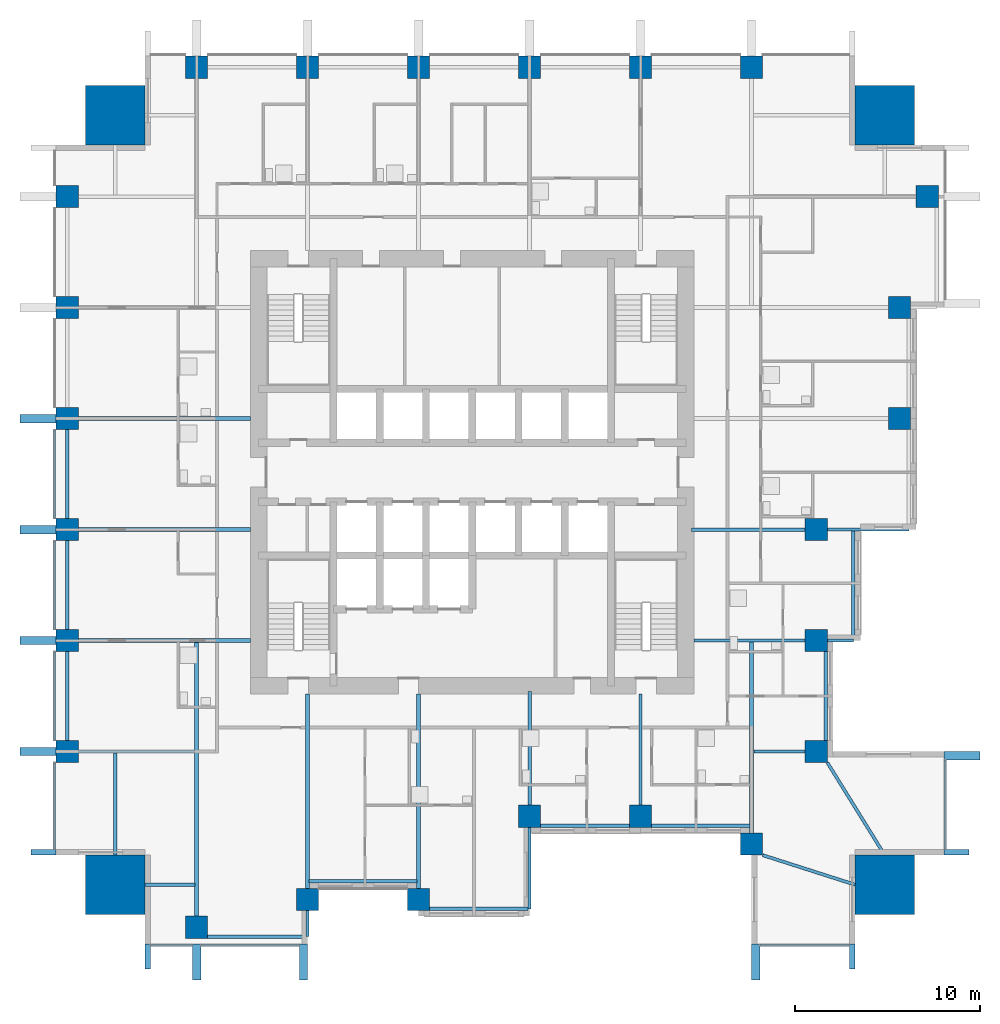
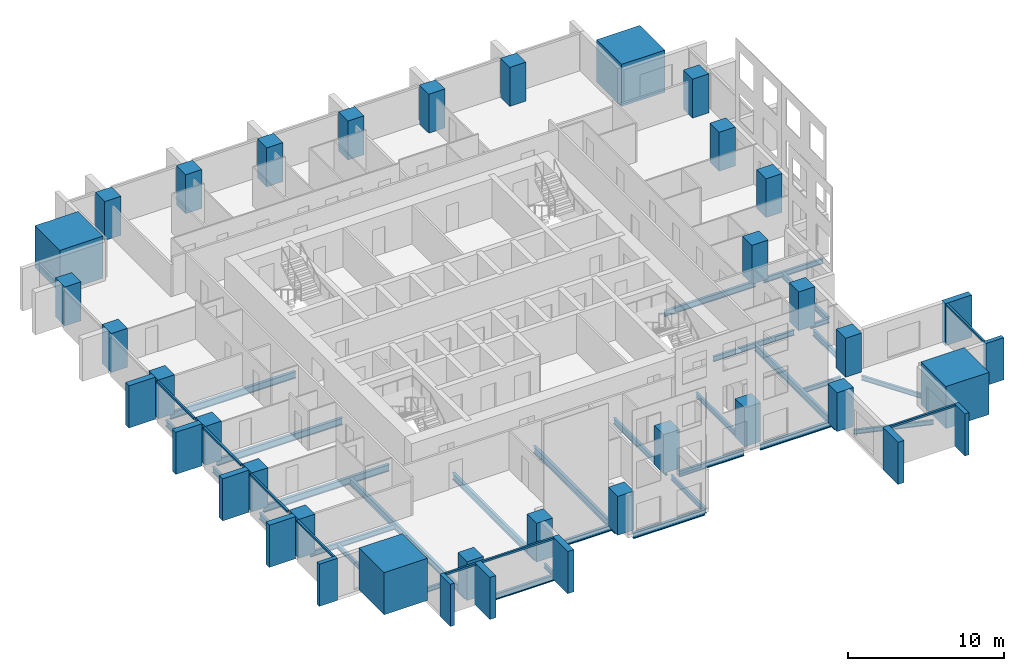
# One storey, part 1 of 11: 31 beams, 28 columns, 20 members, 4 elements without a shape of their own.
"""IFC4 building model written with IfcOpenShell, lengths in metres."""

from ifc_helpers import new_model, si_unit, direction, frame, origin, origin_2d, place, context, subcontext, project, spatial, rectangle, i_section, extrude, material, material_profile, profile_set, type_object, element, aggregate, save


model = new_model("IFC4")

# Units and contexts
model_context = context("Model", 3, precision=1e-05, world=origin(), true_north=direction((0.0, 1.0)))
body_context = subcontext(model_context, "Body", "Model", "MODEL_VIEW")
ifc_project = project(units=[si_unit("LENGTHUNIT", "METRE"), si_unit("AREAUNIT", "SQUARE_METRE"), si_unit("VOLUMEUNIT", "CUBIC_METRE"), si_unit("PLANEANGLEUNIT", "RADIAN"), si_unit("MASSUNIT", "GRAM", prefix="KILO")], contexts=[model_context])

# Site, building, storey
site_placement = place(None, origin())
site = spatial("IfcSite", under=ifc_project, at=site_placement, CompositionType="ELEMENT")
building_placement = place(site_placement, origin())
building = spatial("IfcBuilding", under=site, at=building_placement, Name="Amberfall Residences", CompositionType="ELEMENT")
storey_placement = place(building_placement, frame((0.0, 0.0, 43.300048828125)))
storey = spatial("IfcBuildingStorey", under=building, at=storey_placement, Name="L11", CompositionType="ELEMENT", Elevation=43.300048828125)

# Columns
ifc_material_1 = material(Name="Concrete C80", Category="concrete")
ifc_material_profile_1 = material_profile(ifc_material_1, rectangle(XDim=1.199951171875, YDim=1.199951171875, at=origin_2d()), Name="Column 1200 x 1200 C80")
ifc_profile_set_1 = profile_set([ifc_material_profile_1], Name="Concrete C80")
column_type_1 = type_object("IfcColumnType", Name="Column 1200 x 1200 C80", PredefinedType="COLUMN", material=ifc_profile_set_1)
for number, where, z_axis, x_axis, name in (
    (1, (59.60009765625, 20.89990234375, 0.0), (0.0, 0.0, 1.0), (1.0, 0.0, 0.0), "Column C1 L11 S1"),
    (2, (65.60009765625, 22.39990234375, 0.0), (0.0, 0.0, 1.0), (1.0, 0.0, 0.0), "Column C1 L11 S2"),
    (3, (71.60009765625, 22.39990234375, 0.0), (0.0, 0.0, 1.0), (1.0, 0.0, 0.0), "Column C1 L11 S3"),
    (4, (77.60009765625, 26.89990234375, 0.0), (0.0, 0.0, 1.0), (1.0, 0.0, 0.0), "Column C1 L11 S4"),
    (5, (83.60009765625, 26.89990234375, 0.0), (0.0, 0.0, 1.0), (1.0, 0.0, 0.0), "Column C1 L11 S5"),
    (6, (89.60009765625, 25.39990234375, 0.0), (0.0, 0.0, 1.0), (1.0, 0.0, 0.0), "Column C1 L11 S6"),
    (7, (93.10009765625, 30.39990234375, 0.0), (0.0, 0.0, 1.0), (1.0, 0.0, 0.0), "Column C1 L11 E1"),
    (8, (93.10009765625, 36.39990234375, 0.0), (0.0, 0.0, 1.0), (1.0, 0.0, 0.0), "Column C1 L11 E2"),
    (9, (93.10009765625, 42.39990234375, 0.0), (0.0, 0.0, 1.0), (1.0, 0.0, 0.0), "Column C1 L11 E3"),
    (10, (97.60009765625, 48.39990234375, 0.0), (0.0, 0.0, 1.0), (1.0, 0.0, 0.0), "Column C1 L11 E4"),
    (11, (97.60009765625, 54.39990234375, 0.0), (0.0, 0.0, 1.0), (1.0, 0.0, 0.0), "Column C1 L11 E5"),
    (12, (99.10009765625, 60.39990234375, 0.0), (0.0, 0.0, 1.0), (1.0, 0.0, 0.0), "Column C1 L11 E6"),
    (13, (59.60009765625, 67.39990234375, 0.0), (0.0, 0.0, 1.0), (1.0, 0.0, 0.0), "Column C1 L11 N1"),
    (14, (65.60009765625, 67.39990234375, 0.0), (0.0, 0.0, 1.0), (1.0, 0.0, 0.0), "Column C1 L11 N2"),
    (15, (71.60009765625, 67.39990234375, 0.0), (0.0, 0.0, 1.0), (1.0, 0.0, 0.0), "Column C1 L11 N3"),
    (16, (77.60009765625, 67.39990234375, 0.0), (0.0, 0.0, 1.0), (1.0, 0.0, 0.0), "Column C1 L11 N4"),
    (17, (83.60009765625, 67.39990234375, 0.0), (0.0, 0.0, 1.0), (1.0, 0.0, 0.0), "Column C1 L11 N5"),
    (18, (89.60009765625, 67.39990234375, 0.0), (0.0, 0.0, 1.0), (1.0, 0.0, 0.0), "Column C1 L11 N6"),
    (19, (52.60009765625, 30.39990234375, 0.0), (0.0, 0.0, 1.0), (1.0, 0.0, 0.0), "Column C1 L11 W1"),
    (20, (52.60009765625, 36.39990234375, 0.0), (0.0, 0.0, 1.0), (1.0, 0.0, 0.0), "Column C1 L11 W2"),
    (21, (52.60009765625, 42.39990234375, 0.0), (0.0, 0.0, 1.0), (1.0, 0.0, 0.0), "Column C1 L11 W3"),
    (22, (52.60009765625, 48.39990234375, 0.0), (0.0, 0.0, 1.0), (1.0, 0.0, 0.0), "Column C1 L11 W4"),
    (23, (52.60009765625, 54.39990234375, 0.0), (0.0, 0.0, 1.0), (1.0, 0.0, 0.0), "Column C1 L11 W5"),
    (24, (52.60009765625, 60.39990234375, 0.0), (0.0, 0.0, 1.0), (1.0, 0.0, 0.0), "Column C1 L11 W6"),
):
    element("IfcColumn", number, at=place(storey_placement, frame(where, z_axis=z_axis, x_axis=x_axis)), inside=storey, type_object=column_type_1, Name=name, PredefinedType="COLUMN", context=body_context, shape_type="SweptSolid", body=[
        extrude(rectangle(XDim=1.199951171875, YDim=1.199951171875, at=origin_2d()), origin(), (0.0, 0.0, 1.0), 3.050048828125),
    ])
ifc_material_profile_2 = material_profile(ifc_material_1, rectangle(XDim=3.199951171875, YDim=3.199951171875, at=origin_2d()), Name="Mega column 3200 x 3200 C80")
ifc_profile_set_2 = profile_set([ifc_material_profile_2], Name="Concrete C80")
column_type_2 = type_object("IfcColumnType", Name="Mega column 3200 x 3200 C80", PredefinedType="COLUMN", material=ifc_profile_set_2)
for number, where, z_axis, x_axis, name in (
    (25, (55.199951171875, 23.199951171875, 0.0), (0.0, 0.0, 1.0), (1.0, 0.0, 0.0), "Mega column MC1 L11 SW"),
    (26, (96.800048828125, 23.199951171875, 0.0), (0.0, 0.0, 1.0), (1.0, 0.0, 0.0), "Mega column MC1 L11 SE"),
    (27, (96.800048828125, 64.800048828125, 0.0), (0.0, 0.0, 1.0), (1.0, 0.0, 0.0), "Mega column MC1 L11 NE"),
    (28, (55.199951171875, 64.800048828125, 0.0), (0.0, 0.0, 1.0), (1.0, 0.0, 0.0), "Mega column MC1 L11 NW"),
):
    element("IfcColumn", number, at=place(storey_placement, frame(where, z_axis=z_axis, x_axis=x_axis)), inside=storey, type_object=column_type_2, Name=name, PredefinedType="COLUMN", context=body_context, shape_type="SweptSolid", body=[
        extrude(rectangle(XDim=3.199951171875, YDim=3.199951171875, at=origin_2d()), origin(), (0.0, 0.0, 1.0), 3.300048828125),
    ])

# Curtain wall, members
ifc_material_2 = material(Name="Bronze anodised aluminium and glass", Category="aluminium")
curtain_wall_type = type_object("IfcCurtainWallType", Name="Curtain wall CW1 tower unit", PredefinedType="USERDEFINED", material=ifc_material_2)
curtain_wall_1_placement = place(storey_placement, origin())
curtain_wall_1 = element("IfcCurtainWall", 29, at=curtain_wall_1_placement, inside=storey, type_object=curtain_wall_type, Name="Curtain wall L11 S S1", ObjectType="UNITISED CURTAIN WALL", PredefinedType="USERDEFINED")
ifc_material_3 = material(Name="Bronze anodised aluminium", Category="aluminium")
ifc_material_profile_3 = material_profile(ifc_material_3, rectangle(XDim=0.14990234375, YDim=0.14990234375, at=origin_2d()), Name="CW1 transom 150 x 150 bronze")
ifc_profile_set_3 = profile_set([ifc_material_profile_3], Name="Bronze anodised aluminium")
member_type_1 = type_object("IfcMemberType", Name="CW1 transom 150 x 150 bronze", PredefinedType="USERDEFINED", material=ifc_profile_set_3)
member_1_placement = place(storey_placement, frame((57.10009765625, 19.925048828125, 2.974853515625), z_axis=(1.0, 0.0, 0.0), x_axis=(0.0, 1.0, 0.0)))
member_1 = element("IfcMember", 30, at=member_1_placement, type_object=member_type_1, Name="CW1 transom 1.1", ObjectType="TRANSOM", PredefinedType="USERDEFINED", context=body_context, shape_type="SweptSolid", body=[
    extrude(rectangle(XDim=0.14990234375, YDim=0.14990234375, at=origin_2d()), origin(), (0.0, 0.0, 1.0), 2.27490234375),
])
member_2_placement = place(storey_placement, frame((59.824951171875, 19.925048828125, 2.974853515625), z_axis=(1.0, 0.0, 0.0), x_axis=(0.0, 1.0, 0.0)))
member_2 = element("IfcMember", 31, at=member_2_placement, type_object=member_type_1, Name="CW1 transom 2.1", ObjectType="TRANSOM", PredefinedType="USERDEFINED", context=body_context, shape_type="SweptSolid", body=[
    extrude(rectangle(XDim=0.14990234375, YDim=0.14990234375, at=origin_2d()), origin(), (0.0, 0.0, 1.0), 5.324951171875),
])

# Curtain wall, member
curtain_wall_2_placement = place(storey_placement, origin())
curtain_wall_2 = element("IfcCurtainWall", 32, at=curtain_wall_2_placement, inside=storey, type_object=curtain_wall_type, Name="Curtain wall L11 S S10", ObjectType="UNITISED CURTAIN WALL", PredefinedType="USERDEFINED")
member_3_placement = place(storey_placement, frame((90.050048828125, 19.925048828125, 2.974853515625), z_axis=(1.0, 0.0, 0.0), x_axis=(0.0, 1.0, 0.0)))
member_3 = element("IfcMember", 33, at=member_3_placement, type_object=member_type_1, Name="CW1 transom 1.1", ObjectType="TRANSOM", PredefinedType="USERDEFINED", context=body_context, shape_type="SweptSolid", body=[
    extrude(rectangle(XDim=0.14990234375, YDim=0.14990234375, at=origin_2d()), origin(), (0.0, 0.0, 1.0), 4.849853515625),
])

curtain_wall_3_placement = place(storey_placement, origin())
curtain_wall_3 = element("IfcCurtainWall", 34, at=curtain_wall_3_placement, inside=storey, type_object=curtain_wall_type, Name="Curtain wall L11 E E1", ObjectType="UNITISED CURTAIN WALL", PredefinedType="USERDEFINED")
member_4_placement = place(storey_placement, frame((100.074951171875, 25.10009765625, 2.974853515625), z_axis=(0.0, 1.0, 0.0), x_axis=(-1.0, 0.0, 0.0)))
member_4 = element("IfcMember", 35, at=member_4_placement, type_object=member_type_1, Name="CW1 transom 1.1", ObjectType="TRANSOM", PredefinedType="USERDEFINED", context=body_context, shape_type="SweptSolid", body=[
    extrude(rectangle(XDim=0.14990234375, YDim=0.14990234375, at=origin_2d()), origin(), (0.0, 0.0, 1.0), 4.849853515625),
])

# Curtain wall, members
curtain_wall_4_placement = place(storey_placement, origin())
curtain_wall_4 = element("IfcCurtainWall", 36, at=curtain_wall_4_placement, inside=storey, type_object=curtain_wall_type, Name="Curtain wall L11 W W1", ObjectType="UNITISED CURTAIN WALL", PredefinedType="USERDEFINED")
member_5_placement = place(storey_placement, frame((51.925048828125, 47.794921875, 2.974853515625), z_axis=(0.0, -1.0, 0.0), x_axis=(1.0, 0.0, 0.0)))
member_5 = element("IfcMember", 37, at=member_5_placement, type_object=member_type_1, Name="CW1 transom 4.1", ObjectType="TRANSOM", PredefinedType="USERDEFINED", context=body_context, shape_type="SweptSolid", body=[
    extrude(rectangle(XDim=0.14990234375, YDim=0.14990234375, at=origin_2d()), origin(), (0.0, 0.0, 1.0), 4.7900390625),
])
member_6_placement = place(storey_placement, frame((51.925048828125, 41.794921875, 2.974853515625), z_axis=(0.0, -1.0, 0.0), x_axis=(1.0, 0.0, 0.0)))
member_6 = element("IfcMember", 38, at=member_6_placement, type_object=member_type_1, Name="CW1 transom 5.1", ObjectType="TRANSOM", PredefinedType="USERDEFINED", context=body_context, shape_type="SweptSolid", body=[
    extrude(rectangle(XDim=0.14990234375, YDim=0.14990234375, at=origin_2d()), origin(), (0.0, 0.0, 1.0), 4.7900390625),
])
member_7_placement = place(storey_placement, frame((51.925048828125, 35.794921875, 2.974853515625), z_axis=(0.0, -1.0, 0.0), x_axis=(1.0, 0.0, 0.0)))
member_7 = element("IfcMember", 39, at=member_7_placement, type_object=member_type_1, Name="CW1 transom 6.1", ObjectType="TRANSOM", PredefinedType="USERDEFINED", context=body_context, shape_type="SweptSolid", body=[
    extrude(rectangle(XDim=0.14990234375, YDim=0.14990234375, at=origin_2d()), origin(), (0.0, 0.0, 1.0), 4.7900390625),
])
member_8_placement = place(storey_placement, frame((51.925048828125, 29.794921875, 2.974853515625), z_axis=(0.0, -1.0, 0.0), x_axis=(1.0, 0.0, 0.0)))
member_8 = element("IfcMember", 40, at=member_8_placement, type_object=member_type_1, Name="CW1 transom 7.1", ObjectType="TRANSOM", PredefinedType="USERDEFINED", context=body_context, shape_type="SweptSolid", body=[
    extrude(rectangle(XDim=0.14990234375, YDim=0.14990234375, at=origin_2d()), origin(), (0.0, 0.0, 1.0), 4.69482421875),
])

# Beams
ifc_material_4 = material(Name="Steel S355", Category="steel")
ifc_material_profile_4 = material_profile(ifc_material_4, i_section(OverallWidth=0.171142578125, OverallDepth=0.351318359375, WebThickness=0.007080078125, FlangeThickness=0.009765625, FilletRadius=0.01025390625, at=origin_2d()), Name="UB 356x171x45")
ifc_profile_set_4 = profile_set([ifc_material_profile_4], Name="Steel S355")
beam_type_1 = type_object("IfcBeamType", Name="Cantilever girder UB 356x171x45", PredefinedType="BEAM", material=ifc_profile_set_4)
for number, where, z_axis, x_axis, name in (
    (41, (65.60009765625, 21.800048828125, -0.42578125), (0.0, -1.0, 0.0), (1.0, 0.0, 0.0), "Cantilever girder B8 L11 06"),
    (42, (93.699951171875, 36.39990234375, -0.42578125), (1.0, 0.0, 0.0), (0.0, 1.0, 0.0), "Cantilever girder B8 L11 19"),
):
    element("IfcBeam", number, at=place(storey_placement, frame(where, z_axis=z_axis, x_axis=x_axis)), inside=storey, type_object=beam_type_1, Name=name, PredefinedType="BEAM", context=body_context, shape_type="SweptSolid", body=[
        extrude(i_section(OverallWidth=0.171142578125, OverallDepth=0.351318359375, WebThickness=0.007080078125, FlangeThickness=0.009765625, FilletRadius=0.01025390625, at=origin_2d()), origin(), (0.0, 0.0, 1.0), 1.400146484375),
    ])
ifc_material_profile_5 = material_profile(ifc_material_4, i_section(OverallWidth=0.177734375, OverallDepth=0.402587890625, WebThickness=0.0078125, FlangeThickness=0.010986328125, FilletRadius=0.01025390625, at=origin_2d()), Name="UB 406x178x54")
ifc_profile_set_5 = profile_set([ifc_material_profile_5], Name="Steel S355")
beam_type_2 = type_object("IfcBeamType", Name="Cantilever girder UB 406x178x54", PredefinedType="BEAM", material=ifc_profile_set_5)
for number, where, z_axis, x_axis, name in (
    (43, (77.60009765625, 26.300048828125, -0.451416015625), (0.0, -1.0, 0.0), (1.0, 0.0, 0.0), "Cantilever girder B9 L11 07"),
    (44, (93.699951171875, 42.39990234375, -0.451416015625), (1.0, 0.0, 0.0), (0.0, 1.0, 0.0), "Cantilever girder B9 L11 20"),
):
    element("IfcBeam", number, at=place(storey_placement, frame(where, z_axis=z_axis, x_axis=x_axis)), inside=storey, type_object=beam_type_2, Name=name, PredefinedType="BEAM", context=body_context, shape_type="SweptSolid", body=[
        extrude(i_section(OverallWidth=0.177734375, OverallDepth=0.402587890625, WebThickness=0.0078125, FlangeThickness=0.010986328125, FilletRadius=0.01025390625, at=origin_2d()), origin(), (0.0, 0.0, 1.0), 4.400146484375),
    ])

# Member
ifc_material_profile_6 = material_profile(ifc_material_3, rectangle(XDim=1.35009765625, YDim=0.300048828125, at=origin_2d()), Name="Corner fin 300 x 1350 bronze")
ifc_profile_set_6 = profile_set([ifc_material_profile_6], Name="Bronze anodised aluminium")
member_type_2 = type_object("IfcMemberType", Name="Corner fin 300 x 1350 bronze", PredefinedType="MULLION", material=ifc_profile_set_6)
member_9_placement = place(storey_placement, frame((56.949951171875, 19.324951171875, -0.25), z_axis=(0.0, 0.0, 1.0), x_axis=(0.0, 1.0, 0.0)))
member_9 = element("IfcMember", 45, at=member_9_placement, type_object=member_type_2, Name="CW FIN 1", PredefinedType="MULLION", context=body_context, shape_type="SweptSolid", body=[
    extrude(rectangle(XDim=1.35009765625, YDim=0.300048828125, at=origin_2d()), origin(), (0.0, 0.0, 1.0), 3.300048828125),
])

member_10_placement = place(storey_placement, frame((95.050048828125, 19.324951171875, -0.25), z_axis=(0.0, 0.0, 1.0), x_axis=(0.0, 1.0, 0.0)))
member_10 = element("IfcMember", 46, at=member_10_placement, type_object=member_type_2, Name="CW FIN 2", PredefinedType="MULLION", context=body_context, shape_type="SweptSolid", body=[
    extrude(rectangle(XDim=1.35009765625, YDim=0.300048828125, at=origin_2d()), origin(), (0.0, 0.0, 1.0), 3.300048828125),
])

member_11_placement = place(storey_placement, frame((100.675048828125, 24.949951171875, -0.25), z_axis=(0.0, 0.0, 1.0), x_axis=(-1.0, 0.0, 0.0)))
member_11 = element("IfcMember", 47, at=member_11_placement, type_object=member_type_2, Name="CW FIN 1", PredefinedType="MULLION", context=body_context, shape_type="SweptSolid", body=[
    extrude(rectangle(XDim=1.35009765625, YDim=0.300048828125, at=origin_2d()), origin(), (0.0, 0.0, 1.0), 3.300048828125),
])

member_12_placement = place(storey_placement, frame((51.324951171875, 24.949951171875, -0.25), z_axis=(0.0, 0.0, 1.0), x_axis=(1.0, 0.0, 0.0)))
member_12 = element("IfcMember", 48, at=member_12_placement, type_object=member_type_2, Name="CW FIN 8", PredefinedType="MULLION", context=body_context, shape_type="SweptSolid", body=[
    extrude(rectangle(XDim=1.35009765625, YDim=0.300048828125, at=origin_2d()), origin(), (0.0, 0.0, 1.0), 3.300048828125),
])

# Beams
ifc_material_profile_7 = material_profile(ifc_material_4, i_section(OverallWidth=0.18994140625, OverallDepth=0.453369140625, WebThickness=0.008544921875, FlangeThickness=0.0126953125, FilletRadius=0.01025390625, at=origin_2d()), Name="UB 457x191x67")
ifc_profile_set_7 = profile_set([ifc_material_profile_7], Name="Steel S355")
beam_type_3 = type_object("IfcBeamType", Name="Edge beam UB 457x191x67", PredefinedType="SPANDREL", material=ifc_profile_set_7)
beam_1_placement = place(storey_placement, frame((60.199951171875, 20.39990234375, -0.476806640625), z_axis=(1.0, 0.0, 0.0), x_axis=(0.0, 1.0, 0.0)))
element("IfcBeam", 49, at=beam_1_placement, inside=storey, type_object=beam_type_3, Name="Edge beam B1 L11 01", PredefinedType="SPANDREL", context=body_context, shape_type="SweptSolid", body=[
    extrude(i_section(OverallWidth=0.18994140625, OverallDepth=0.453369140625, WebThickness=0.008544921875, FlangeThickness=0.0126953125, FilletRadius=0.01025390625, at=origin_2d()), origin(), (0.0, 0.0, 1.0), 5.320068359375),
])
beam_2_placement = place(storey_placement, frame((65.679931640625, 23.39990234375, -0.476806640625), z_axis=(1.0, 0.0, 0.0), x_axis=(0.0, 1.0, 0.0)))
element("IfcBeam", 50, at=beam_2_placement, inside=storey, type_object=beam_type_3, Name="Edge beam B1 L11 02", PredefinedType="SPANDREL", context=body_context, shape_type="SweptSolid", body=[
    extrude(i_section(OverallWidth=0.18994140625, OverallDepth=0.453369140625, WebThickness=0.008544921875, FlangeThickness=0.0126953125, FilletRadius=0.01025390625, at=origin_2d()), origin(), (0.0, 0.0, 1.0), 5.840087890625),
])
beam_3_placement = place(storey_placement, frame((72.199951171875, 21.89990234375, -0.476806640625), z_axis=(1.0, 0.0, 0.0), x_axis=(0.0, 1.0, 0.0)))
element("IfcBeam", 51, at=beam_3_placement, inside=storey, type_object=beam_type_3, Name="Edge beam B1 L11 03", PredefinedType="SPANDREL", context=body_context, shape_type="SweptSolid", body=[
    extrude(i_section(OverallWidth=0.18994140625, OverallDepth=0.453369140625, WebThickness=0.008544921875, FlangeThickness=0.0126953125, FilletRadius=0.01025390625, at=origin_2d()), origin(), (0.0, 0.0, 1.0), 5.320068359375),
])
beam_4_placement = place(storey_placement, frame((78.199951171875, 26.39990234375, -0.476806640625), z_axis=(1.0, 0.0, 0.0), x_axis=(0.0, 1.0, 0.0)))
element("IfcBeam", 52, at=beam_4_placement, inside=storey, type_object=beam_type_3, Name="Edge beam B1 L11 04", PredefinedType="SPANDREL", context=body_context, shape_type="SweptSolid", body=[
    extrude(i_section(OverallWidth=0.18994140625, OverallDepth=0.453369140625, WebThickness=0.008544921875, FlangeThickness=0.0126953125, FilletRadius=0.01025390625, at=origin_2d()), origin(), (0.0, 0.0, 1.0), 4.800048828125),
])
beam_5_placement = place(storey_placement, frame((84.199951171875, 26.39990234375, -0.476806640625), z_axis=(1.0, 0.0, 0.0), x_axis=(0.0, 1.0, 0.0)))
element("IfcBeam", 53, at=beam_5_placement, inside=storey, type_object=beam_type_3, Name="Edge beam B1 L11 05", PredefinedType="SPANDREL", context=body_context, shape_type="SweptSolid", body=[
    extrude(i_section(OverallWidth=0.18994140625, OverallDepth=0.453369140625, WebThickness=0.008544921875, FlangeThickness=0.0126953125, FilletRadius=0.01025390625, at=origin_2d()), origin(), (0.0, 0.0, 1.0), 5.320068359375),
])
beam_6_placement = place(storey_placement, frame((93.60009765625, 31.0, -0.476806640625), z_axis=(0.0, 1.0, 0.0), x_axis=(-1.0, 0.0, 0.0)))
element("IfcBeam", 54, at=beam_6_placement, inside=storey, type_object=beam_type_3, Name="Edge beam B1 L11 14", PredefinedType="SPANDREL", context=body_context, shape_type="SweptSolid", body=[
    extrude(i_section(OverallWidth=0.18994140625, OverallDepth=0.453369140625, WebThickness=0.008544921875, FlangeThickness=0.0126953125, FilletRadius=0.01025390625, at=origin_2d()), origin(), (0.0, 0.0, 1.0), 4.800048828125),
])
beam_7_placement = place(storey_placement, frame((95.10009765625, 36.47998046875, -0.476806640625), z_axis=(0.0, 1.0, 0.0), x_axis=(-1.0, 0.0, 0.0)))
element("IfcBeam", 55, at=beam_7_placement, inside=storey, type_object=beam_type_3, Name="Edge beam B1 L11 15", PredefinedType="SPANDREL", context=body_context, shape_type="SweptSolid", body=[
    extrude(i_section(OverallWidth=0.18994140625, OverallDepth=0.453369140625, WebThickness=0.008544921875, FlangeThickness=0.0126953125, FilletRadius=0.01025390625, at=origin_2d()), origin(), (0.0, 0.0, 1.0), 5.840087890625),
])
for number, where, z_axis, x_axis, name in (
    (56, (52.60009765625, 31.0, -0.476806640625), (0.0, 1.0, 0.0), (-1.0, 0.0, 0.0), "Edge beam B1 L11 39"),
    (57, (52.60009765625, 37.0, -0.476806640625), (0.0, 1.0, 0.0), (-1.0, 0.0, 0.0), "Edge beam B1 L11 40"),
    (58, (52.60009765625, 43.0, -0.476806640625), (0.0, 1.0, 0.0), (-1.0, 0.0, 0.0), "Edge beam B1 L11 41"),
):
    element("IfcBeam", number, at=place(storey_placement, frame(where, z_axis=z_axis, x_axis=x_axis)), inside=storey, type_object=beam_type_3, Name=name, PredefinedType="SPANDREL", context=body_context, shape_type="SweptSolid", body=[
        extrude(i_section(OverallWidth=0.18994140625, OverallDepth=0.453369140625, WebThickness=0.008544921875, FlangeThickness=0.0126953125, FilletRadius=0.01025390625, at=origin_2d()), origin(), (0.0, 0.0, 1.0), 4.800048828125),
    ])

# Member
ifc_material_profile_8 = material_profile(ifc_material_3, rectangle(XDim=1.949951171875, YDim=0.449951171875, at=origin_2d()), Name="Fin 450 x 1950 bronze")
ifc_profile_set_8 = profile_set([ifc_material_profile_8], Name="Bronze anodised aluminium")
member_type_3 = type_object("IfcMemberType", Name="Fin 450 x 1950 bronze", PredefinedType="MULLION", material=ifc_profile_set_8)
member_13_placement = place(storey_placement, frame((59.60009765625, 19.02490234375, -0.25), z_axis=(0.0, 0.0, 1.0), x_axis=(0.0, 1.0, 0.0)))
member_13 = element("IfcMember", 59, at=member_13_placement, type_object=member_type_3, Name="CW FIN 2", PredefinedType="MULLION", context=body_context, shape_type="SweptSolid", body=[
    extrude(rectangle(XDim=1.949951171875, YDim=0.449951171875, at=origin_2d()), origin(), (0.0, 0.0, 1.0), 3.300048828125),
])

member_14_placement = place(storey_placement, frame((65.375, 19.02490234375, -0.25), z_axis=(0.0, 0.0, 1.0), x_axis=(0.0, 1.0, 0.0)))
member_14 = element("IfcMember", 60, at=member_14_placement, type_object=member_type_3, Name="CW FIN 3", PredefinedType="MULLION", context=body_context, shape_type="SweptSolid", body=[
    extrude(rectangle(XDim=1.949951171875, YDim=0.449951171875, at=origin_2d()), origin(), (0.0, 0.0, 1.0), 3.300048828125),
])

aggregate(curtain_wall_1, [member_9, member_13, member_14, member_1, member_2])

member_15_placement = place(storey_placement, frame((89.824951171875, 19.02490234375, -0.25), z_axis=(0.0, 0.0, 1.0), x_axis=(0.0, 1.0, 0.0)))
member_15 = element("IfcMember", 61, at=member_15_placement, type_object=member_type_3, Name="CW FIN 1", PredefinedType="MULLION", context=body_context, shape_type="SweptSolid", body=[
    extrude(rectangle(XDim=1.949951171875, YDim=0.449951171875, at=origin_2d()), origin(), (0.0, 0.0, 1.0), 3.300048828125),
])

aggregate(curtain_wall_2, [member_15, member_10, member_3])

member_16_placement = place(storey_placement, frame((100.97509765625, 30.175048828125, -0.25), z_axis=(0.0, 0.0, 1.0), x_axis=(-1.0, 0.0, 0.0)))
member_16 = element("IfcMember", 62, at=member_16_placement, type_object=member_type_3, Name="CW FIN 2", PredefinedType="MULLION", context=body_context, shape_type="SweptSolid", body=[
    extrude(rectangle(XDim=1.949951171875, YDim=0.449951171875, at=origin_2d()), origin(), (0.0, 0.0, 1.0), 3.300048828125),
])

aggregate(curtain_wall_3, [member_11, member_16, member_4])

member_17_placement = place(storey_placement, frame((51.02490234375, 48.39990234375, -0.25), z_axis=(0.0, 0.0, 1.0), x_axis=(1.0, 0.0, 0.0)))
member_17 = element("IfcMember", 63, at=member_17_placement, type_object=member_type_3, Name="CW FIN 4", PredefinedType="MULLION", context=body_context, shape_type="SweptSolid", body=[
    extrude(rectangle(XDim=1.949951171875, YDim=0.449951171875, at=origin_2d()), origin(), (0.0, 0.0, 1.0), 3.300048828125),
])

member_18_placement = place(storey_placement, frame((51.02490234375, 42.39990234375, -0.25), z_axis=(0.0, 0.0, 1.0), x_axis=(1.0, 0.0, 0.0)))
member_18 = element("IfcMember", 64, at=member_18_placement, type_object=member_type_3, Name="CW FIN 5", PredefinedType="MULLION", context=body_context, shape_type="SweptSolid", body=[
    extrude(rectangle(XDim=1.949951171875, YDim=0.449951171875, at=origin_2d()), origin(), (0.0, 0.0, 1.0), 3.300048828125),
])

member_19_placement = place(storey_placement, frame((51.02490234375, 36.39990234375, -0.25), z_axis=(0.0, 0.0, 1.0), x_axis=(1.0, 0.0, 0.0)))
member_19 = element("IfcMember", 65, at=member_19_placement, type_object=member_type_3, Name="CW FIN 6", PredefinedType="MULLION", context=body_context, shape_type="SweptSolid", body=[
    extrude(rectangle(XDim=1.949951171875, YDim=0.449951171875, at=origin_2d()), origin(), (0.0, 0.0, 1.0), 3.300048828125),
])

member_20_placement = place(storey_placement, frame((51.02490234375, 30.39990234375, -0.25), z_axis=(0.0, 0.0, 1.0), x_axis=(1.0, 0.0, 0.0)))
member_20 = element("IfcMember", 66, at=member_20_placement, type_object=member_type_3, Name="CW FIN 7", PredefinedType="MULLION", context=body_context, shape_type="SweptSolid", body=[
    extrude(rectangle(XDim=1.949951171875, YDim=0.449951171875, at=origin_2d()), origin(), (0.0, 0.0, 1.0), 3.300048828125),
])

aggregate(curtain_wall_4, [member_17, member_18, member_19, member_20, member_12, member_5, member_6, member_7, member_8])

# Beams
ifc_material_profile_9 = material_profile(ifc_material_4, i_section(OverallWidth=0.171142578125, OverallDepth=0.351318359375, WebThickness=0.007080078125, FlangeThickness=0.009765625, FilletRadius=0.01025390625, at=origin_2d()), Name="UB 356x171x45")
ifc_profile_set_9 = profile_set([ifc_material_profile_9], Name="Steel S355")
beam_type_4 = type_object("IfcBeamType", Name="Floor girder UB 356x171x45", PredefinedType="BEAM", material=ifc_profile_set_9)
beam_8_placement = place(storey_placement, frame((92.5, 30.39990234375, -0.42578125), z_axis=(-1.0, 0.0, 0.0), x_axis=(0.0, -1.0, 0.0)))
element("IfcBeam", 67, at=beam_8_placement, inside=storey, type_object=beam_type_4, Name="Floor girder B11 L11 22", PredefinedType="BEAM", context=body_context, shape_type="SweptSolid", body=[
    extrude(i_section(OverallWidth=0.171142578125, OverallDepth=0.351318359375, WebThickness=0.007080078125, FlangeThickness=0.009765625, FilletRadius=0.01025390625, at=origin_2d()), origin(), (0.0, 0.0, 1.0), 2.780029296875),
])
ifc_material_profile_10 = material_profile(ifc_material_4, i_section(OverallWidth=0.177734375, OverallDepth=0.402587890625, WebThickness=0.0078125, FlangeThickness=0.010986328125, FilletRadius=0.01025390625, at=origin_2d()), Name="UB 406x178x54")
ifc_profile_set_10 = profile_set([ifc_material_profile_10], Name="Steel S355")
beam_type_5 = type_object("IfcBeamType", Name="Floor girder UB 406x178x54", PredefinedType="BEAM", material=ifc_profile_set_10)
for number, where, z_axis, x_axis, name in (
    (68, (83.60009765625, 27.5, -0.451416015625), (0.0, 1.0, 0.0), (-1.0, 0.0, 0.0), "Floor girder B4 L11 12"),
    (69, (92.5, 36.39990234375, -0.451416015625), (-1.0, 0.0, 0.0), (0.0, -1.0, 0.0), "Floor girder B4 L11 23"),
):
    element("IfcBeam", number, at=place(storey_placement, frame(where, z_axis=z_axis, x_axis=x_axis)), inside=storey, type_object=beam_type_5, Name=name, PredefinedType="BEAM", context=body_context, shape_type="SweptSolid", body=[
        extrude(i_section(OverallWidth=0.177734375, OverallDepth=0.402587890625, WebThickness=0.0078125, FlangeThickness=0.010986328125, FilletRadius=0.01025390625, at=origin_2d()), origin(), (0.0, 0.0, 1.0), 6.0),
    ])
beam_9_placement = place(storey_placement, frame((53.199951171875, 30.39990234375, -0.451416015625), z_axis=(1.0, 0.0, 0.0), x_axis=(0.0, 1.0, 0.0)))
element("IfcBeam", 70, at=beam_9_placement, inside=storey, type_object=beam_type_5, Name="Floor girder B4 L11 44", PredefinedType="BEAM", context=body_context, shape_type="SweptSolid", body=[
    extrude(i_section(OverallWidth=0.177734375, OverallDepth=0.402587890625, WebThickness=0.0078125, FlangeThickness=0.010986328125, FilletRadius=0.01025390625, at=origin_2d()), origin(), (0.0, 0.0, 1.0), 6.280029296875),
])
ifc_material_profile_11 = material_profile(ifc_material_4, i_section(OverallWidth=0.19140625, OverallDepth=0.4599609375, WebThickness=0.010009765625, FlangeThickness=0.01611328125, FilletRadius=0.01025390625, at=origin_2d()), Name="UB 457x191x82")
ifc_profile_set_11 = profile_set([ifc_material_profile_11], Name="Steel S355")
beam_type_6 = type_object("IfcBeamType", Name="Floor girder UB 457x191x82", PredefinedType="BEAM", material=ifc_profile_set_11)
for number, where, z_axis, x_axis, name in (
    (71, (77.60009765625, 26.89990234375, -0.47998046875), (0.0, 1.0, 0.0), (-1.0, 0.0, 0.0), "Floor girder B10 L11 11"),
    (72, (93.10009765625, 42.39990234375, -0.47998046875), (-1.0, 0.0, 0.0), (0.0, -1.0, 0.0), "Floor girder B10 L11 24"),
):
    element("IfcBeam", number, at=place(storey_placement, frame(where, z_axis=z_axis, x_axis=x_axis)), inside=storey, type_object=beam_type_6, Name=name, PredefinedType="BEAM", context=body_context, shape_type="SweptSolid", body=[
        extrude(i_section(OverallWidth=0.19140625, OverallDepth=0.4599609375, WebThickness=0.010009765625, FlangeThickness=0.01611328125, FilletRadius=0.01025390625, at=origin_2d()), origin(), (0.0, 0.0, 1.0), 6.75),
    ])
ifc_material_profile_12 = material_profile(ifc_material_4, i_section(OverallWidth=0.210693359375, OverallDepth=0.53955078125, WebThickness=0.01171875, FlangeThickness=0.018798828125, FilletRadius=0.0126953125, at=origin_2d()), Name="UB 533x210x109")
ifc_profile_set_12 = profile_set([ifc_material_profile_12], Name="Steel S355")
beam_type_7 = type_object("IfcBeamType", Name="Floor girder UB 533x210x109", PredefinedType="BEAM", material=ifc_profile_set_12)
beam_10_placement = place(storey_placement, frame((59.60009765625, 21.5, -0.519775390625), z_axis=(0.0, 1.0, 0.0), x_axis=(-1.0, 0.0, 0.0)))
element("IfcBeam", 73, at=beam_10_placement, inside=storey, type_object=beam_type_7, Name="Floor girder B2 L11 08", PredefinedType="BEAM", context=body_context, shape_type="SweptSolid", body=[
    extrude(i_section(OverallWidth=0.210693359375, OverallDepth=0.53955078125, WebThickness=0.01171875, FlangeThickness=0.018798828125, FilletRadius=0.0126953125, at=origin_2d()), origin(), (0.0, 0.0, 1.0), 14.80029296875),
])
ifc_material_profile_13 = material_profile(ifc_material_4, i_section(OverallWidth=0.209228515625, OverallDepth=0.533203125, WebThickness=0.010009765625, FlangeThickness=0.015625, FilletRadius=0.0126953125, at=origin_2d()), Name="UB 533x210x92")
ifc_profile_set_13 = profile_set([ifc_material_profile_13], Name="Steel S355")
beam_type_8 = type_object("IfcBeamType", Name="Floor girder UB 533x210x92", PredefinedType="BEAM", material=ifc_profile_set_13)
for number, where, z_axis, x_axis, name in (
    (74, (65.60009765625, 23.0, -0.5166015625), (0.0, 1.0, 0.0), (-1.0, 0.0, 0.0), "Floor girder B3 L11 09"),
    (75, (71.60009765625, 23.0, -0.5166015625), (0.0, 1.0, 0.0), (-1.0, 0.0, 0.0), "Floor girder B3 L11 10"),
):
    element("IfcBeam", number, at=place(storey_placement, frame(where, z_axis=z_axis, x_axis=x_axis)), inside=storey, type_object=beam_type_8, Name=name, PredefinedType="BEAM", context=body_context, shape_type="SweptSolid", body=[
        extrude(i_section(OverallWidth=0.209228515625, OverallDepth=0.533203125, WebThickness=0.010009765625, FlangeThickness=0.015625, FilletRadius=0.0126953125, at=origin_2d()), origin(), (0.0, 0.0, 1.0), 10.5),
    ])
beam_11_placement = place(storey_placement, frame((89.60009765625, 26.0, -0.5166015625), z_axis=(0.0, 1.0, 0.0), x_axis=(-1.0, 0.0, 0.0)))
element("IfcBeam", 76, at=beam_11_placement, inside=storey, type_object=beam_type_8, Name="Floor girder B3 L11 13", PredefinedType="BEAM", context=body_context, shape_type="SweptSolid", body=[
    extrude(i_section(OverallWidth=0.209228515625, OverallDepth=0.533203125, WebThickness=0.010009765625, FlangeThickness=0.015625, FilletRadius=0.0126953125, at=origin_2d()), origin(), (0.0, 0.0, 1.0), 10.316162109375),
])
for number, where, z_axis, x_axis, name in (
    (77, (53.199951171875, 36.39990234375, -0.5166015625), (1.0, 0.0, 0.0), (0.0, 1.0, 0.0), "Floor girder B3 L11 45"),
    (78, (53.199951171875, 42.39990234375, -0.5166015625), (1.0, 0.0, 0.0), (0.0, 1.0, 0.0), "Floor girder B3 L11 46"),
    (79, (53.199951171875, 48.39990234375, -0.5166015625), (1.0, 0.0, 0.0), (0.0, 1.0, 0.0), "Floor girder B3 L11 47"),
):
    element("IfcBeam", number, at=place(storey_placement, frame(where, z_axis=z_axis, x_axis=x_axis)), inside=storey, type_object=beam_type_8, Name=name, PredefinedType="BEAM", context=body_context, shape_type="SweptSolid", body=[
        extrude(i_section(OverallWidth=0.209228515625, OverallDepth=0.533203125, WebThickness=0.010009765625, FlangeThickness=0.015625, FilletRadius=0.0126953125, at=origin_2d()), origin(), (0.0, 0.0, 1.0), 9.300048828125),
    ])
ifc_material_profile_14 = material_profile(ifc_material_4, i_section(OverallWidth=0.171142578125, OverallDepth=0.351318359375, WebThickness=0.007080078125, FlangeThickness=0.009765625, FilletRadius=0.01025390625, at=origin_2d()), Name="UB 356x171x45")
ifc_profile_set_14 = profile_set([ifc_material_profile_14], Name="Steel S355")
beam_type_9 = type_object("IfcBeamType", Name="Link beam UB 356x171x45", PredefinedType="BEAM", material=ifc_profile_set_14)
beam_12_placement = place(storey_placement, frame((56.800048828125, 23.199951171875, -0.42578125), z_axis=(1.0, 0.0, 0.0), x_axis=(0.0, 1.0, 0.0)))
element("IfcBeam", 80, at=beam_12_placement, inside=storey, type_object=beam_type_9, Name="Link beam B7 L11 50", PredefinedType="BEAM", context=body_context, shape_type="SweptSolid", body=[
    extrude(i_section(OverallWidth=0.171142578125, OverallDepth=0.351318359375, WebThickness=0.007080078125, FlangeThickness=0.009765625, FilletRadius=0.01025390625, at=origin_2d()), origin(), (0.0, 0.0, 1.0), 2.70458984375),
])
beam_13_placement = place(storey_placement, frame((55.199951171875, 24.800048828125, -0.42578125), z_axis=(0.0, 1.0, 0.0), x_axis=(-1.0, 0.0, 0.0)))
element("IfcBeam", 81, at=beam_13_placement, inside=storey, type_object=beam_type_9, Name="Link beam B7 L11 51", PredefinedType="BEAM", context=body_context, shape_type="SweptSolid", body=[
    extrude(i_section(OverallWidth=0.171142578125, OverallDepth=0.351318359375, WebThickness=0.007080078125, FlangeThickness=0.009765625, FilletRadius=0.01025390625, at=origin_2d()), origin(), (0.0, 0.0, 1.0), 5.521240234375),
])
beam_14_placement = place(storey_placement, frame((95.199951171875, 23.199951171875, -0.42578125), z_axis=(-0.952418747361, 0.304792601084, 0.0), x_axis=(-0.304792601084, -0.952418747361, 0.0)))
element("IfcBeam", 82, at=beam_14_placement, inside=storey, type_object=beam_type_9, Name="Link beam B7 L11 52", PredefinedType="BEAM", context=body_context, shape_type="SweptSolid", body=[
    extrude(i_section(OverallWidth=0.171142578125, OverallDepth=0.351318359375, WebThickness=0.007080078125, FlangeThickness=0.009765625, FilletRadius=0.01025390625, at=origin_2d()), origin(), (0.0, 0.0, 1.0), 5.249755859375),
])
beam_15_placement = place(storey_placement, frame((96.800048828125, 24.800048828125, -0.42578125), z_axis=(-0.526951659214, 0.849895257577, 0.0), x_axis=(-0.849895257577, -0.526951659214, 0.0)))
element("IfcBeam", 83, at=beam_15_placement, inside=storey, type_object=beam_type_9, Name="Link beam B7 L11 53", PredefinedType="BEAM", context=body_context, shape_type="SweptSolid", body=[
    extrude(i_section(OverallWidth=0.171142578125, OverallDepth=0.351318359375, WebThickness=0.007080078125, FlangeThickness=0.009765625, FilletRadius=0.01025390625, at=origin_2d()), origin(), (0.0, 0.0, 1.0), 5.883056640625),
])

save(model, "model.ifc")
